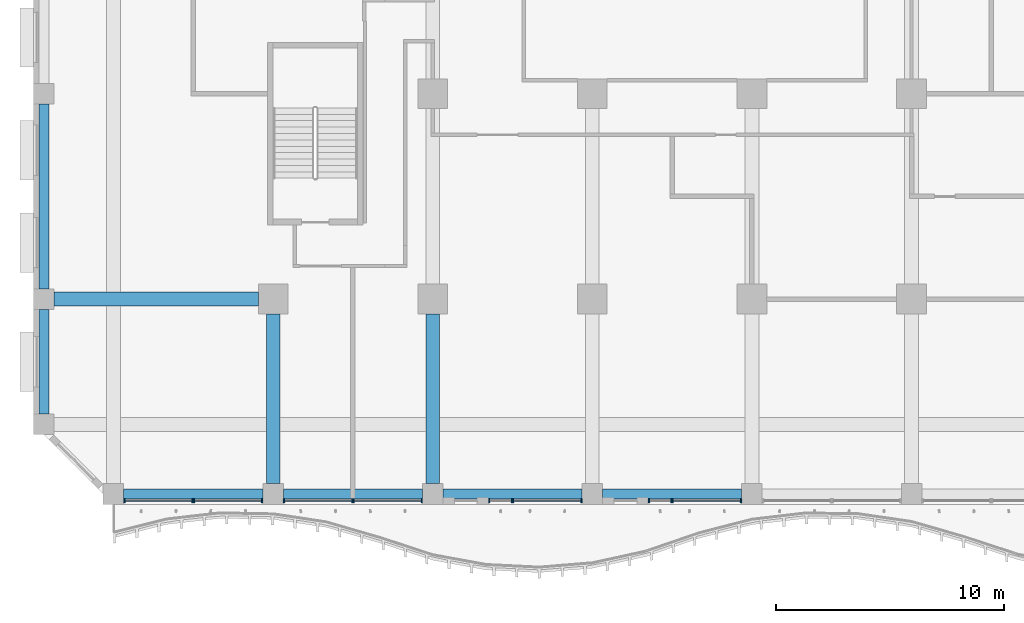
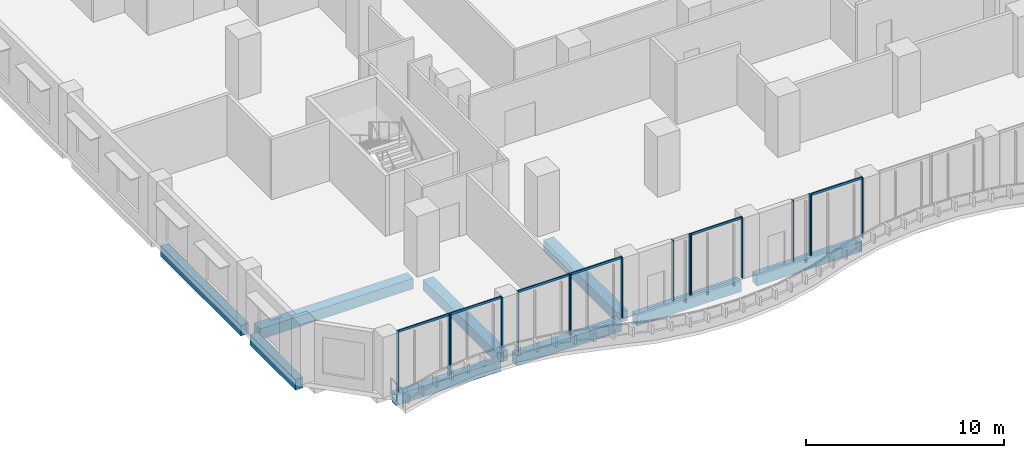
# One storey, part 2 of 24: 22 members, 9 beams, 8 elements without a shape of their own.
"""IFC4 building model written with IfcOpenShell, lengths in metres."""

import ifcopenshell
import ifcopenshell.guid

model = None  # the IFC model being written
_history = None  # IfcOwnerHistory: only IFC2X3 demands one
_inside = {}  # id of a spatial element -> (the spatial element, [elements in it])
_under = {}  # id of a project, library or spatial element -> (it, [spatial elements below it])
_declared = {}  # id of a project -> (the project, [libraries it declares])
_typed = {}  # id of a type object -> (the type object, [elements of that type])
_made_of = {}  # id of a material, layer set ... -> (it, [elements and type objects made of it])


def new_model(schema):
    """Start an empty IFC model of exactly this schema.

    Asked for "IFC4X3", IfcOpenShell would pick the latest addendum, in which some entities
    have other attributes; the version numbers below select the first issue.
    IFC2X3 requires an IfcOwnerHistory on every rooted entity: one is made here for all.
    """
    global model, _history
    if schema == "IFC4X3":
        model = ifcopenshell.file(schema_version=(4, 3, 0, 0))
    else:
        model = ifcopenshell.file(schema=schema)
    _inside.clear()
    _under.clear()
    _declared.clear()
    _typed.clear()
    _made_of.clear()
    _history = None
    if model.schema == "IFC2X3":
        org = make("IfcOrganization", Name="unknown")
        user = make(
            "IfcPersonAndOrganization",
            ThePerson=make("IfcPerson", FamilyName="unknown"),
            TheOrganization=org,
        )
        app = make(
            "IfcApplication",
            ApplicationDeveloper=org,
            Version="unknown",
            ApplicationFullName="unknown",
            ApplicationIdentifier="unknown",
        )
        _history = make(
            "IfcOwnerHistory",
            OwningUser=user,
            OwningApplication=app,
            ChangeAction="ADDED",
            CreationDate=0,
        )
    return model


def make(cls, **values):
    """One entity of the class cls with the attributes given. An attribute that is None is left unset."""
    return model.create_entity(
        cls, **{name: value for name, value in values.items() if value is not None}
    )


def rooted(cls, **values):
    """An entity with a GlobalId (a new one), such as an element, a storey or a relation."""
    return make(cls, GlobalId=ifcopenshell.guid.new(), OwnerHistory=_history, **values)


def si_unit(unit_type, name, prefix=None):
    """IfcSIUnit, for example si_unit("LENGTHUNIT", "METRE", prefix="MILLI")."""
    return make("IfcSIUnit", UnitType=unit_type, Prefix=prefix, Name=name)


def assignment(units):
    """IfcUnitAssignment: the units of a project."""
    return None if units is None else make("IfcUnitAssignment", Units=units)


def point(xyz):
    """IfcCartesianPoint."""
    return None if xyz is None else make("IfcCartesianPoint", Coordinates=xyz)


def direction(xyz):
    """IfcDirection."""
    return None if xyz is None else make("IfcDirection", DirectionRatios=xyz)


def frame(location, z_axis=None, x_axis=None):
    """IfcAxis2Placement3D, a coordinate frame: its origin and axes. An axis left out is left unset."""
    return make(
        "IfcAxis2Placement3D",
        Location=point(location),
        Axis=direction(z_axis),
        RefDirection=direction(x_axis),
    )


def frame_2d(location, x_axis=None):
    """IfcAxis2Placement2D, a coordinate frame in the plane: its origin and x axis."""
    return make(
        "IfcAxis2Placement2D", Location=point(location), RefDirection=direction(x_axis)
    )


def origin():
    """The frame at (0, 0, 0) with its axes left unset."""
    return frame((0.0, 0.0, 0.0))


def origin_2d():
    """The frame at (0, 0) in the plane with its x axis left unset."""
    return frame_2d((0.0, 0.0))


def place(relative_to, where):
    """IfcLocalPlacement: puts the frame where relative to a parent placement (None: the world)."""
    return make(
        "IfcLocalPlacement", PlacementRelTo=relative_to, RelativePlacement=where
    )


def context(
    kind, dimensions, precision=None, world=None, true_north=None, identifier=None
):
    """IfcGeometricRepresentationContext, for example the 3D "Model" context."""
    return make(
        "IfcGeometricRepresentationContext",
        ContextIdentifier=identifier,
        ContextType=kind,
        CoordinateSpaceDimension=dimensions,
        Precision=precision,
        WorldCoordinateSystem=world,
        TrueNorth=true_north,
    )


def subcontext(parent, identifier, kind, view, scale=None):
    """IfcGeometricRepresentationSubContext, for example "Body" below "Model"."""
    return make(
        "IfcGeometricRepresentationSubContext",
        ContextIdentifier=identifier,
        ContextType=kind,
        ParentContext=parent,
        TargetScale=scale,
        TargetView=view,
    )


def project(units=None, contexts=None):
    """IfcProject with its units and contexts."""
    return rooted(
        "IfcProject",
        Name="project",
        RepresentationContexts=contexts,
        UnitsInContext=assignment(units),
    )


def spatial(cls, under=None, at=None, **own):
    """A site, building, storey or space (cls), placed at a placement, below another one or the project."""
    s = rooted(cls, ObjectPlacement=at, **own)
    if under is not None:
        _under.setdefault(under.id(), (under, []))[1].append(s)
    return s


def profile(cls, at=None, kind="AREA", **sizes):
    """A parametric profile (cls). Its sizes go by their IFC names, for example OverallWidth=200.0."""
    return make(cls, ProfileType=kind, Position=at, **sizes)


def rectangle(**sizes):
    """IfcRectangleProfileDef."""
    return profile("IfcRectangleProfileDef", **sizes)


def extrude(swept, where, along, depth):
    """IfcExtrudedAreaSolid: the profile swept, set in the frame where, extruded along a direction by depth."""
    return make(
        "IfcExtrudedAreaSolid",
        SweptArea=swept,
        Position=where,
        ExtrudedDirection=direction(along),
        Depth=depth,
    )


def shape(context_of_items, identifier, shape_type, items):
    """IfcShapeRepresentation: the items that make up one representation, for example the "Body"."""
    return make(
        "IfcShapeRepresentation",
        ContextOfItems=context_of_items,
        RepresentationIdentifier=identifier,
        RepresentationType=shape_type,
        Items=items,
    )


def source(mapping_origin, context_of_items, identifier, shape_type, items):
    """IfcRepresentationMap: a shape defined once, which mapped items show again and again."""
    return make(
        "IfcRepresentationMap",
        MappingOrigin=mapping_origin,
        MappedRepresentation=shape(context_of_items, identifier, shape_type, items),
    )


def transform(
    local_origin,
    x_axis=None,
    y_axis=None,
    z_axis=None,
    scale=None,
    scale2=None,
    scale3=None,
    uniform=True,
):
    """IfcCartesianTransformationOperator3D, or its non-uniform kind. x_axis, y_axis, z_axis: its Axis1, 2, 3."""
    if uniform:
        return make(
            "IfcCartesianTransformationOperator3D",
            Axis1=direction(x_axis),
            Axis2=direction(y_axis),
            LocalOrigin=point(local_origin),
            Scale=scale,
            Axis3=direction(z_axis),
        )
    return make(
        "IfcCartesianTransformationOperator3DnonUniform",
        Axis1=direction(x_axis),
        Axis2=direction(y_axis),
        LocalOrigin=point(local_origin),
        Scale=scale,
        Axis3=direction(z_axis),
        Scale2=scale2,
        Scale3=scale3,
    )


def mapped(mapping_source, mapping_target):
    """IfcMappedItem: shows the shape of a source again, moved by a transform."""
    return make(
        "IfcMappedItem", MappingSource=mapping_source, MappingTarget=mapping_target
    )


def material(Name=None, Category=None):
    """IfcMaterial."""
    return make("IfcMaterial", Name=Name, Category=Category)


def material_profile(
    of_material, cross_section, Name=None, Category=None, Priority=None
):
    """IfcMaterialProfile: a cross section and its material."""
    return make(
        "IfcMaterialProfile",
        Name=Name,
        Material=of_material,
        Profile=cross_section,
        Priority=Priority,
        Category=Category,
    )


def profile_set(profiles, Name=None, composite=None):
    """IfcMaterialProfileSet."""
    return make(
        "IfcMaterialProfileSet",
        Name=Name,
        MaterialProfiles=profiles,
        CompositeProfile=composite,
    )


def made_of(thing, what):
    """Note that an element or type object is made of a material, layer set ...; save() writes the relation."""
    if what is not None:
        _made_of.setdefault(what.id(), (what, []))[1].append(thing)
    return thing


def type_object(cls, material=None, **own):
    """A type object (cls), such as IfcWallType, which elements share."""
    return made_of(rooted(cls, **own), material)


def element(
    cls,
    number,
    at=None,
    inside=None,
    cuts=None,
    type_object=None,
    material=None,
    context=None,
    identifier="Body",
    shape_type=None,
    held_by="IfcProductDefinitionShape",
    body=None,
    shapes=None,
    **own,
):
    """One element of the class cls, such as IfcWall. Its Tag is "e" and its number.

    at: its placement. inside: the storey or other place that contains it. cuts: it is an
    opening in that element (IfcRelVoidsElement). A single representation is given by context,
    identifier, shape_type and body (its items); several are given by shapes. held_by: the class
    of the entity that holds the representations. save() writes the other relations.
    """
    e = rooted(cls, Tag="e%d" % number, ObjectPlacement=at, **own)
    if body is not None:
        shapes = [shape(context, identifier, shape_type, body)]
    if shapes is not None:
        e.Representation = make(held_by, Representations=shapes)
    if inside is not None:
        _inside.setdefault(inside.id(), (inside, []))[1].append(e)
    if cuts is not None:
        rooted(
            "IfcRelVoidsElement", RelatingBuildingElement=cuts, RelatedOpeningElement=e
        )
    if type_object is not None:
        _typed.setdefault(type_object.id(), (type_object, []))[1].append(e)
    return made_of(e, material)


def aggregate(whole, parts):
    """IfcRelAggregates: a whole, such as a stair, and the parts it consists of."""
    return rooted("IfcRelAggregates", RelatingObject=whole, RelatedObjects=parts)


def save(model, path):
    """Write the relations noted so far, then the file.

    IfcRelAggregates (storeys below a building ...), IfcRelContainedInSpatialStructure (elements
    in a storey), IfcRelDefinesByType, IfcRelAssociatesMaterial and IfcRelDeclares: one each for
    every whole, place, type object, material and project.
    """
    for whole, parts in _under.values():
        aggregate(whole, parts)
    for where, things in _inside.values():
        rooted(
            "IfcRelContainedInSpatialStructure",
            RelatedElements=things,
            RelatingStructure=where,
        )
    for kind, things in _typed.values():
        rooted("IfcRelDefinesByType", RelatedObjects=things, RelatingType=kind)
    for what, things in _made_of.values():
        rooted("IfcRelAssociatesMaterial", RelatedObjects=things, RelatingMaterial=what)
    for by, libraries in _declared.values():
        rooted("IfcRelDeclares", RelatingContext=by, RelatedDefinitions=libraries)
    model.write(path)


model = new_model("IFC4")

# Units and contexts
model_context = context("Model", 3, precision=1e-05, world=origin(), true_north=direction((0.0, 1.0)))
body_context = subcontext(model_context, "Body", "Model", "MODEL_VIEW")
ifc_project = project(units=[si_unit("LENGTHUNIT", "METRE"), si_unit("AREAUNIT", "SQUARE_METRE"), si_unit("VOLUMEUNIT", "CUBIC_METRE"), si_unit("PLANEANGLEUNIT", "RADIAN"), si_unit("MASSUNIT", "GRAM", prefix="KILO")], contexts=[model_context])

# Site, building, storey
site_placement = place(None, origin())
site = spatial("IfcSite", under=ifc_project, at=site_placement, CompositionType="ELEMENT")
building_placement = place(site_placement, origin())
building = spatial("IfcBuilding", under=site, at=building_placement, Name="Kilnfold Tower and Market Hall", CompositionType="ELEMENT")
storey_placement = place(building_placement, frame((0.0, 0.0, 35.0)))
storey = spatial("IfcBuildingStorey", under=building, at=storey_placement, Name="L07", CompositionType="ELEMENT", Elevation=35.0)

# Beams
ifc_material_1 = material(Name="Concrete C45", Category="concrete")
ifc_material_profile_1 = material_profile(ifc_material_1, rectangle(XDim=0.449951171875, YDim=0.64990234375, at=origin_2d()), Name="RC 450x650")
ifc_profile_set_1 = profile_set([ifc_material_profile_1], Name="Concrete C45")
beam_type_1 = type_object("IfcBeamType", Name="EDGE BEAM 450X650 C45", PredefinedType="BEAM", material=ifc_profile_set_1)
shared_shape_1 = source(origin(), body_context, "Body", "SweptSolid", [
    extrude(rectangle(XDim=0.449951171875, YDim=0.64990234375, at=origin_2d()), origin(), (0.0, 0.0, 1.0), 6.10009765625),
])
for number, where, z_axis, x_axis, name in (
    (1, (-24.050048828125, -27.550048828125, -0.60498046875), (1.0, 0.0, 0.0), (0.0, 1.0, 0.0), "Beam EB650-B1.1"),
    (2, (-17.050048828125, -27.550048828125, -0.60498046875), (1.0, 0.0, 0.0), (0.0, 1.0, 0.0), "Beam EB650-B1.54"),
    (3, (-10.050048828125, -27.550048828125, -0.60498046875), (1.0, 0.0, 0.0), (0.0, 1.0, 0.0), "Beam EB650-B1.2"),
    (4, (-3.050048828125, -27.550048828125, -0.60498046875), (1.0, 0.0, 0.0), (0.0, 1.0, 0.0), "Beam EB650-B1.3"),
):
    element("IfcBeam", number, at=place(storey_placement, frame(where, z_axis=z_axis, x_axis=x_axis)), inside=storey, type_object=beam_type_1, Name=name, PredefinedType="BEAM", context=body_context, shape_type="MappedRepresentation", body=[
        mapped(shared_shape_1, transform((0.0, 0.0, 0.0))),
    ])
ifc_material_2 = material(Name="Concrete C45", Category="concrete")
ifc_material_profile_2 = material_profile(ifc_material_2, rectangle(XDim=0.60009765625, YDim=0.64990234375, at=origin_2d()), Name="RC 600x650")
ifc_profile_set_2 = profile_set([ifc_material_profile_2], Name="Concrete C45")
beam_type_2 = type_object("IfcBeamType", Name="BEAM 600X650 C45", PredefinedType="BEAM", material=ifc_profile_set_2)
shared_shape_2 = source(origin(), body_context, "Body", "SweptSolid", [
    extrude(rectangle(XDim=0.60009765625, YDim=0.64990234375, at=origin_2d()), origin(), (0.0, 0.0, 1.0), 8.9501953125),
])
beam_1_placement = place(storey_placement, frame((-27.10009765625, -19.0, -0.60498046875), z_axis=(1.0, 0.0, 0.0), x_axis=(0.0, 1.0, 0.0)))
element("IfcBeam", 5, at=beam_1_placement, inside=storey, type_object=beam_type_2, Name="Beam BB650-B1.7", PredefinedType="BEAM", context=body_context, shape_type="MappedRepresentation", body=[
    mapped(shared_shape_2, transform((0.0, 0.0, 0.0))),
])
shared_shape_3 = source(origin(), body_context, "Body", "SweptSolid", [
    extrude(rectangle(XDim=0.449951171875, YDim=0.64990234375, at=origin_2d()), origin(), (0.0, 0.0, 1.0), 4.60009765625),
])
beam_2_placement = place(storey_placement, frame((-27.550048828125, -24.050048828125, -0.60498046875), z_axis=(0.0, 1.0, 0.0), x_axis=(-1.0, 0.0, 0.0)))
element("IfcBeam", 6, at=beam_2_placement, inside=storey, type_object=beam_type_1, Name="Beam EB650-B1.30", PredefinedType="BEAM", context=body_context, shape_type="MappedRepresentation", body=[
    mapped(shared_shape_3, transform((0.0, 0.0, 0.0))),
])
shared_shape_4 = source(origin(), body_context, "Body", "SweptSolid", [
    extrude(rectangle(XDim=0.449951171875, YDim=0.64990234375, at=origin_2d()), origin(), (0.0, 0.0, 1.0), 8.10009765625),
])
beam_3_placement = place(storey_placement, frame((-27.550048828125, -18.550048828125, -0.60498046875), z_axis=(0.0, 1.0, 0.0), x_axis=(-1.0, 0.0, 0.0)))
element("IfcBeam", 7, at=beam_3_placement, inside=storey, type_object=beam_type_1, Name="Beam EB650-B1.31", PredefinedType="BEAM", context=body_context, shape_type="MappedRepresentation", body=[
    mapped(shared_shape_4, transform((0.0, 0.0, 0.0))),
])
shared_shape_5 = source(origin(), body_context, "Body", "SweptSolid", [
    extrude(rectangle(XDim=0.60009765625, YDim=0.64990234375, at=origin_2d()), origin(), (0.0, 0.0, 1.0), 7.4501953125),
])
for number, where, z_axis, x_axis, name in (
    (8, (-17.5, -27.10009765625, -0.60498046875), (0.0, 1.0, 0.0), (-1.0, 0.0, 0.0), "Beam BB650-B1.36"),
    (9, (-10.5, -27.10009765625, -0.60498046875), (0.0, 1.0, 0.0), (-1.0, 0.0, 0.0), "Beam BB650-B1.40"),
):
    element("IfcBeam", number, at=place(storey_placement, frame(where, z_axis=z_axis, x_axis=x_axis)), inside=storey, type_object=beam_type_2, Name=name, PredefinedType="BEAM", context=body_context, shape_type="MappedRepresentation", body=[
        mapped(shared_shape_5, transform((0.0, 0.0, 0.0))),
    ])

# Curtain wall, members
ifc_material_3 = material(Name="Aluminium and double glazing", Category="aluminium")
curtain_wall_type = type_object("IfcCurtainWallType", Name="CW OF1 VALLEY GLAZING", PredefinedType="NOTDEFINED", material=ifc_material_3)
curtain_wall_1_placement = place(storey_placement, origin())
curtain_wall_1 = element("IfcCurtainWall", 10, at=curtain_wall_1_placement, inside=storey, type_object=curtain_wall_type, Name="Curtain wall CW1 L07 S", PredefinedType="NOTDEFINED")
ifc_material_4 = material(Name="Aluminium", Category="aluminium")
ifc_material_profile_3 = material_profile(ifc_material_4, rectangle(XDim=0.06005859375, YDim=0.179931640625, at=origin_2d()), Name="MULLION 60x180")
ifc_profile_set_3 = profile_set([ifc_material_profile_3], Name="Aluminium")
member_type_1 = type_object("IfcMemberType", Name="MULLION 60X180", PredefinedType="MULLION", material=ifc_profile_set_3)
shared_shape_6 = source(origin(), body_context, "Body", "SweptSolid", [
    extrude(rectangle(XDim=0.06005859375, YDim=0.179931640625, at=origin_2d()), origin(), (0.0, 0.0, 1.0), 3.719970703125),
])
member_1_placement = place(storey_placement, frame((-24.02001953125, -27.85009765625, 0.0), z_axis=(0.0, 0.0, 1.0), x_axis=(1.0, 0.0, 0.0)))
member_1 = element("IfcMember", 11, at=member_1_placement, type_object=member_type_1, Name="CW1 mullion 1", PredefinedType="MULLION", context=body_context, shape_type="MappedRepresentation", body=[
    mapped(shared_shape_6, transform((0.0, 0.0, 0.0))),
])
member_2_placement = place(storey_placement, frame((-21.030029296875, -27.85009765625, 0.0), z_axis=(0.0, 0.0, 1.0), x_axis=(1.0, 0.0, 0.0)))
member_2 = element("IfcMember", 12, at=member_2_placement, type_object=member_type_1, Name="CW1 mullion 2", PredefinedType="MULLION", context=body_context, shape_type="MappedRepresentation", body=[
    mapped(shared_shape_6, transform((0.0, 0.0, 0.0))),
])

curtain_wall_2_placement = place(storey_placement, origin())
curtain_wall_2 = element("IfcCurtainWall", 13, at=curtain_wall_2_placement, inside=storey, type_object=curtain_wall_type, Name="Curtain wall CW1 L07 S", PredefinedType="NOTDEFINED")
member_3_placement = place(storey_placement, frame((-20.969970703125, -27.85009765625, 0.0), z_axis=(0.0, 0.0, 1.0), x_axis=(1.0, 0.0, 0.0)))
member_3 = element("IfcMember", 14, at=member_3_placement, type_object=member_type_1, Name="CW1 mullion 1", PredefinedType="MULLION", context=body_context, shape_type="MappedRepresentation", body=[
    mapped(shared_shape_6, transform((0.0, 0.0, 0.0))),
])
member_4_placement = place(storey_placement, frame((-17.97998046875, -27.85009765625, 0.0), z_axis=(0.0, 0.0, 1.0), x_axis=(1.0, 0.0, 0.0)))
member_4 = element("IfcMember", 15, at=member_4_placement, type_object=member_type_1, Name="CW1 mullion 2", PredefinedType="MULLION", context=body_context, shape_type="MappedRepresentation", body=[
    mapped(shared_shape_6, transform((0.0, 0.0, 0.0))),
])

curtain_wall_3_placement = place(storey_placement, origin())
curtain_wall_3 = element("IfcCurtainWall", 16, at=curtain_wall_3_placement, inside=storey, type_object=curtain_wall_type, Name="Curtain wall CW1 L07 S", PredefinedType="NOTDEFINED")
member_5_placement = place(storey_placement, frame((-17.02001953125, -27.85009765625, 0.0), z_axis=(0.0, 0.0, 1.0), x_axis=(1.0, 0.0, 0.0)))
member_5 = element("IfcMember", 17, at=member_5_placement, type_object=member_type_1, Name="CW1 mullion 1", PredefinedType="MULLION", context=body_context, shape_type="MappedRepresentation", body=[
    mapped(shared_shape_6, transform((0.0, 0.0, 0.0))),
])
member_6_placement = place(storey_placement, frame((-14.030029296875, -27.85009765625, 0.0), z_axis=(0.0, 0.0, 1.0), x_axis=(1.0, 0.0, 0.0)))
member_6 = element("IfcMember", 18, at=member_6_placement, type_object=member_type_1, Name="CW1 mullion 2", PredefinedType="MULLION", context=body_context, shape_type="MappedRepresentation", body=[
    mapped(shared_shape_6, transform((0.0, 0.0, 0.0))),
])

curtain_wall_4_placement = place(storey_placement, origin())
curtain_wall_4 = element("IfcCurtainWall", 19, at=curtain_wall_4_placement, inside=storey, type_object=curtain_wall_type, Name="Curtain wall CW1 L07 S", PredefinedType="NOTDEFINED")
member_7_placement = place(storey_placement, frame((-13.969970703125, -27.85009765625, 0.0), z_axis=(0.0, 0.0, 1.0), x_axis=(1.0, 0.0, 0.0)))
member_7 = element("IfcMember", 20, at=member_7_placement, type_object=member_type_1, Name="CW1 mullion 1", PredefinedType="MULLION", context=body_context, shape_type="MappedRepresentation", body=[
    mapped(shared_shape_6, transform((0.0, 0.0, 0.0))),
])
member_8_placement = place(storey_placement, frame((-10.97998046875, -27.85009765625, 0.0), z_axis=(0.0, 0.0, 1.0), x_axis=(1.0, 0.0, 0.0)))
member_8 = element("IfcMember", 21, at=member_8_placement, type_object=member_type_1, Name="CW1 mullion 2", PredefinedType="MULLION", context=body_context, shape_type="MappedRepresentation", body=[
    mapped(shared_shape_6, transform((0.0, 0.0, 0.0))),
])

curtain_wall_5_placement = place(storey_placement, origin())
curtain_wall_5 = element("IfcCurtainWall", 22, at=curtain_wall_5_placement, inside=storey, type_object=curtain_wall_type, Name="Curtain wall CW1 L07 S", PredefinedType="NOTDEFINED")
member_9_placement = place(storey_placement, frame((-8.02001953125, -27.85009765625, 0.0), z_axis=(0.0, 0.0, 1.0), x_axis=(1.0, 0.0, 0.0)))
member_9 = element("IfcMember", 23, at=member_9_placement, type_object=member_type_1, Name="CW1 mullion 1", PredefinedType="MULLION", context=body_context, shape_type="MappedRepresentation", body=[
    mapped(shared_shape_6, transform((0.0, 0.0, 0.0))),
])
member_10_placement = place(storey_placement, frame((-7.030029296875, -27.85009765625, 0.0), z_axis=(0.0, 0.0, 1.0), x_axis=(1.0, 0.0, 0.0)))
member_10 = element("IfcMember", 24, at=member_10_placement, type_object=member_type_1, Name="CW1 mullion 2", PredefinedType="MULLION", context=body_context, shape_type="MappedRepresentation", body=[
    mapped(shared_shape_6, transform((0.0, 0.0, 0.0))),
])
aggregate(curtain_wall_5, [member_9, member_10])

curtain_wall_6_placement = place(storey_placement, origin())
curtain_wall_6 = element("IfcCurtainWall", 25, at=curtain_wall_6_placement, inside=storey, type_object=curtain_wall_type, Name="Curtain wall CW1 L07 S", PredefinedType="NOTDEFINED")
member_11_placement = place(storey_placement, frame((-6.969970703125, -27.85009765625, 0.0), z_axis=(0.0, 0.0, 1.0), x_axis=(1.0, 0.0, 0.0)))
member_11 = element("IfcMember", 26, at=member_11_placement, type_object=member_type_1, Name="CW1 mullion 1", PredefinedType="MULLION", context=body_context, shape_type="MappedRepresentation", body=[
    mapped(shared_shape_6, transform((0.0, 0.0, 0.0))),
])
member_12_placement = place(storey_placement, frame((-3.97998046875, -27.85009765625, 0.0), z_axis=(0.0, 0.0, 1.0), x_axis=(1.0, 0.0, 0.0)))
member_12 = element("IfcMember", 27, at=member_12_placement, type_object=member_type_1, Name="CW1 mullion 2", PredefinedType="MULLION", context=body_context, shape_type="MappedRepresentation", body=[
    mapped(shared_shape_6, transform((0.0, 0.0, 0.0))),
])

curtain_wall_7_placement = place(storey_placement, origin())
curtain_wall_7 = element("IfcCurtainWall", 28, at=curtain_wall_7_placement, inside=storey, type_object=curtain_wall_type, Name="Curtain wall CW1 L07 S", PredefinedType="NOTDEFINED")
member_13_placement = place(storey_placement, frame((-1.02001953125, -27.85009765625, 0.0), z_axis=(0.0, 0.0, 1.0), x_axis=(1.0, 0.0, 0.0)))
member_13 = element("IfcMember", 29, at=member_13_placement, type_object=member_type_1, Name="CW1 mullion 1", PredefinedType="MULLION", context=body_context, shape_type="MappedRepresentation", body=[
    mapped(shared_shape_6, transform((0.0, 0.0, 0.0))),
])
member_14_placement = place(storey_placement, frame((-0.030029296875, -27.85009765625, 0.0), z_axis=(0.0, 0.0, 1.0), x_axis=(1.0, 0.0, 0.0)))
member_14 = element("IfcMember", 30, at=member_14_placement, type_object=member_type_1, Name="CW1 mullion 2", PredefinedType="MULLION", context=body_context, shape_type="MappedRepresentation", body=[
    mapped(shared_shape_6, transform((0.0, 0.0, 0.0))),
])
aggregate(curtain_wall_7, [member_13, member_14])

curtain_wall_8_placement = place(storey_placement, origin())
curtain_wall_8 = element("IfcCurtainWall", 31, at=curtain_wall_8_placement, inside=storey, type_object=curtain_wall_type, Name="Curtain wall CW1 L07 S", PredefinedType="NOTDEFINED")
member_15_placement = place(storey_placement, frame((0.030029296875, -27.85009765625, 0.0), z_axis=(0.0, 0.0, 1.0), x_axis=(1.0, 0.0, 0.0)))
member_15 = element("IfcMember", 32, at=member_15_placement, type_object=member_type_1, Name="CW1 mullion 1", PredefinedType="MULLION", context=body_context, shape_type="MappedRepresentation", body=[
    mapped(shared_shape_6, transform((0.0, 0.0, 0.0))),
])
member_16_placement = place(storey_placement, frame((3.02001953125, -27.85009765625, 0.0), z_axis=(0.0, 0.0, 1.0), x_axis=(1.0, 0.0, 0.0)))
member_16 = element("IfcMember", 33, at=member_16_placement, type_object=member_type_1, Name="CW1 mullion 2", PredefinedType="MULLION", context=body_context, shape_type="MappedRepresentation", body=[
    mapped(shared_shape_6, transform((0.0, 0.0, 0.0))),
])

# Member
ifc_material_5 = material(Name="Aluminium", Category="aluminium")
ifc_material_profile_4 = material_profile(ifc_material_5, rectangle(XDim=0.06005859375, YDim=0.139892578125, at=origin_2d()), Name="TRANSOM 60x140")
ifc_profile_set_4 = profile_set([ifc_material_profile_4], Name="Aluminium")
member_type_2 = type_object("IfcMemberType", Name="TRANSOM 60X140", PredefinedType="USERDEFINED", material=ifc_profile_set_4)
shared_shape_7 = source(origin(), body_context, "Body", "SweptSolid", [
    extrude(rectangle(XDim=0.06005859375, YDim=0.139892578125, at=origin_2d()), origin(), (0.0, 0.0, 1.0), 2.929931640625),
])
member_17_placement = place(storey_placement, frame((-23.989990234375, -27.85009765625, 3.68994140625), z_axis=(1.0, 0.0, 0.0), x_axis=(0.0, 1.0, 0.0)))
member_17 = element("IfcMember", 34, at=member_17_placement, type_object=member_type_2, Name="CW1 transom 1.2", ObjectType="TRANSOM", PredefinedType="USERDEFINED", context=body_context, shape_type="MappedRepresentation", body=[
    mapped(shared_shape_7, transform((0.0, 0.0, 0.0))),
])

aggregate(curtain_wall_1, [member_1, member_2, member_17])

member_18_placement = place(storey_placement, frame((-20.93994140625, -27.85009765625, 3.68994140625), z_axis=(1.0, 0.0, 0.0), x_axis=(0.0, 1.0, 0.0)))
member_18 = element("IfcMember", 35, at=member_18_placement, type_object=member_type_2, Name="CW1 transom 1.2", ObjectType="TRANSOM", PredefinedType="USERDEFINED", context=body_context, shape_type="MappedRepresentation", body=[
    mapped(shared_shape_7, transform((0.0, 0.0, 0.0))),
])

aggregate(curtain_wall_2, [member_3, member_4, member_18])

member_19_placement = place(storey_placement, frame((-16.989990234375, -27.85009765625, 3.68994140625), z_axis=(1.0, 0.0, 0.0), x_axis=(0.0, 1.0, 0.0)))
member_19 = element("IfcMember", 36, at=member_19_placement, type_object=member_type_2, Name="CW1 transom 1.2", ObjectType="TRANSOM", PredefinedType="USERDEFINED", context=body_context, shape_type="MappedRepresentation", body=[
    mapped(shared_shape_7, transform((0.0, 0.0, 0.0))),
])

aggregate(curtain_wall_3, [member_5, member_6, member_19])

member_20_placement = place(storey_placement, frame((-13.93994140625, -27.85009765625, 3.68994140625), z_axis=(1.0, 0.0, 0.0), x_axis=(0.0, 1.0, 0.0)))
member_20 = element("IfcMember", 37, at=member_20_placement, type_object=member_type_2, Name="CW1 transom 1.2", ObjectType="TRANSOM", PredefinedType="USERDEFINED", context=body_context, shape_type="MappedRepresentation", body=[
    mapped(shared_shape_7, transform((0.0, 0.0, 0.0))),
])

aggregate(curtain_wall_4, [member_7, member_8, member_20])

member_21_placement = place(storey_placement, frame((-6.93994140625, -27.85009765625, 3.68994140625), z_axis=(1.0, 0.0, 0.0), x_axis=(0.0, 1.0, 0.0)))
member_21 = element("IfcMember", 38, at=member_21_placement, type_object=member_type_2, Name="CW1 transom 1.2", ObjectType="TRANSOM", PredefinedType="USERDEFINED", context=body_context, shape_type="MappedRepresentation", body=[
    mapped(shared_shape_7, transform((0.0, 0.0, 0.0))),
])

aggregate(curtain_wall_6, [member_11, member_12, member_21])

member_22_placement = place(storey_placement, frame((0.06005859375, -27.85009765625, 3.68994140625), z_axis=(1.0, 0.0, 0.0), x_axis=(0.0, 1.0, 0.0)))
member_22 = element("IfcMember", 39, at=member_22_placement, type_object=member_type_2, Name="CW1 transom 1.2", ObjectType="TRANSOM", PredefinedType="USERDEFINED", context=body_context, shape_type="MappedRepresentation", body=[
    mapped(shared_shape_7, transform((0.0, 0.0, 0.0))),
])

aggregate(curtain_wall_8, [member_15, member_16, member_22])

save(model, "model.ifc")
